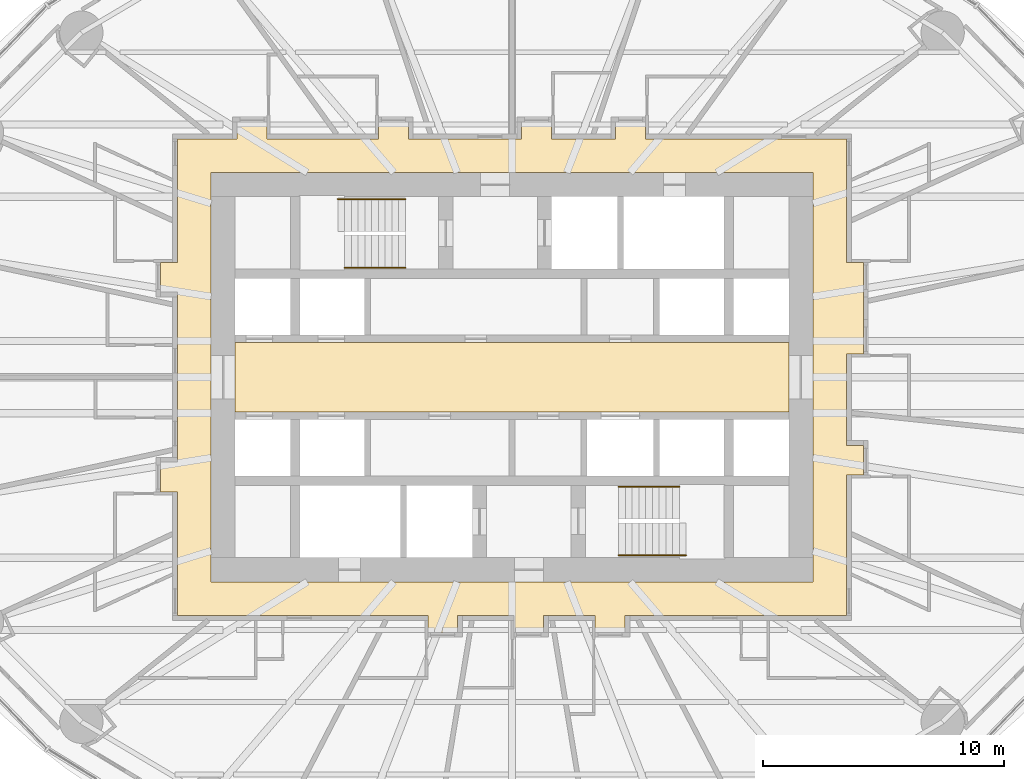
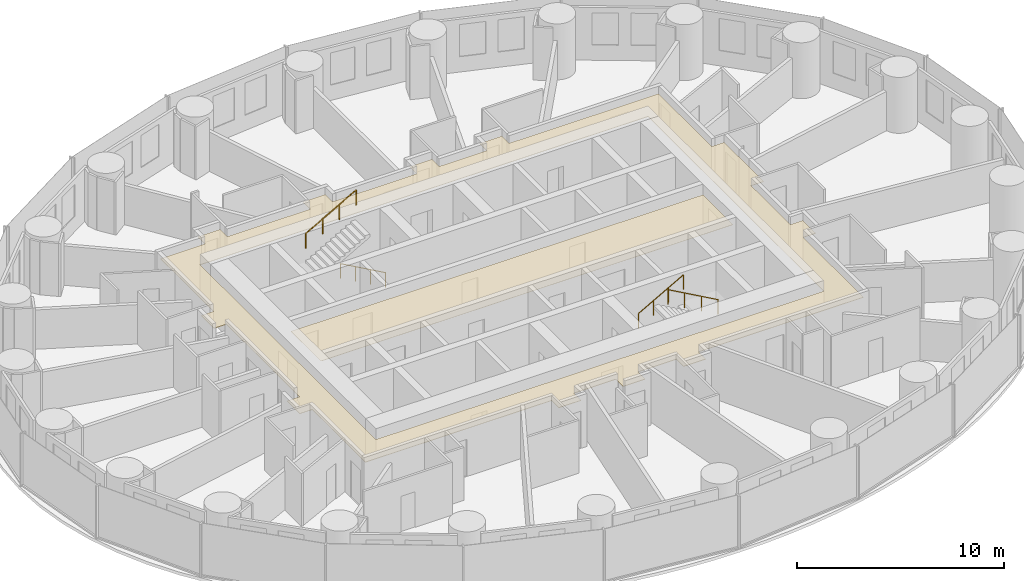
# One storey, part 14 of 14: 4 railings, 2 coverings.
"""IFC4 building model written with IfcOpenShell, lengths in metres."""

from ifc_helpers import new_model, si_unit, direction, frame, origin, origin_2d, place, context, subcontext, project, spatial, polyline, circle, outline, extrude, material, layer, layer_set, type_object, element, save


model = new_model("IFC4")

# Units and contexts
model_context = context("Model", 3, precision=1e-05, world=origin(), true_north=direction((0.0, 1.0)))
body_context = subcontext(model_context, "Body", "Model", "MODEL_VIEW")
ifc_project = project(units=[si_unit("LENGTHUNIT", "METRE"), si_unit("AREAUNIT", "SQUARE_METRE"), si_unit("VOLUMEUNIT", "CUBIC_METRE"), si_unit("PLANEANGLEUNIT", "RADIAN"), si_unit("MASSUNIT", "GRAM", prefix="KILO")], contexts=[model_context])

# Site, building, storey
site_placement = place(None, origin())
site = spatial("IfcSite", under=ifc_project, at=site_placement, CompositionType="ELEMENT")
building_placement = place(site_placement, origin())
building = spatial("IfcBuilding", under=site, at=building_placement, Name="Hankou Lantern Tower", CompositionType="ELEMENT")
storey_placement = place(building_placement, frame((0.0, 0.0, 36.0)))
storey = spatial("IfcBuildingStorey", under=building, at=storey_placement, Name="L07", CompositionType="ELEMENT", Elevation=36.0)

# Coverings
ifc_material_1 = material(Name="Black painted aluminium linear ceiling panels", Category="aluminium")
ifc_layer_1 = layer(ifc_material_1, 0.02490234375)
ifc_layer_set_1 = layer_set([ifc_layer_1], Name="Black painted aluminium linear ceiling panels")
covering_type_1 = type_object("IfcCoveringType", Name="CL1 CORRIDOR CEILING 25", PredefinedType="CEILING", material=ifc_layer_set_1)
covering_1_placement = place(storey_placement, frame((0.0, 0.0, 2.64501953125)))
element("IfcCovering", 1, at=covering_1_placement, inside=storey, type_object=covering_type_1, Name="Corridor ceiling L07", PredefinedType="CEILING", context=body_context, shape_type="SweptSolid", body=[
    extrude(outline(polyline([(-3.49853515625, -10.60009765625), (-2.258544921875, -10.60009765625), (-2.258544921875, -9.89990234375), (0.074951171875, -9.89990234375), (0.074951171875, -10.60009765625), (1.31494140625, -10.60009765625), (1.31494140625, -9.89990234375), (3.455078125, -9.89990234375), (3.455078125, -10.60009765625), (4.695068359375, -10.60009765625), (4.695068359375, -9.89990234375), (13.89990234375, -9.89990234375), (13.89990234375, -4.072509765625), (14.60009765625, -4.072509765625), (14.60009765625, -2.83251953125), (13.89990234375, -2.83251953125), (13.89990234375, 0.9580078125), (14.60009765625, 0.9580078125), (14.60009765625, 4.7724609375), (13.89990234375, 4.7724609375), (13.89990234375, 9.89990234375), (5.549072265625, 9.89990234375), (5.549072265625, 10.60009765625), (4.30908203125, 10.60009765625), (4.30908203125, 9.89990234375), (1.642822265625, 9.89990234375), (1.642822265625, 10.60009765625), (0.40283203125, 10.60009765625), (0.40283203125, 9.89990234375), (-4.30908203125, 9.89990234375), (-4.30908203125, 10.60009765625), (-5.549072265625, 10.60009765625), (-5.549072265625, 9.89990234375), (-10.178955078125, 9.89990234375), (-10.178955078125, 10.60009765625), (-11.4189453125, 10.60009765625), (-11.4189453125, 9.89990234375), (-13.89990234375, 9.89990234375), (-13.89990234375, 4.7724609375), (-14.60009765625, 4.7724609375), (-14.60009765625, 3.532470703125), (-13.89990234375, 3.532470703125), (-13.89990234375, -3.532470703125), (-14.60009765625, -3.532470703125), (-14.60009765625, -4.7724609375), (-13.89990234375, -4.7724609375), (-13.89990234375, -9.89990234375), (-3.49853515625, -9.89990234375), (-3.49853515625, -10.60009765625)]), holes=[polyline([(-12.5, 8.5), (12.5, 8.5), (12.5, -8.5), (-12.5, -8.5), (-12.5, 8.5)])]), origin(), (0.0, 0.0, 1.0), 0.02490234375),
])
ifc_material_2 = material(Name="Perforated black aluminium acoustic tray ceiling", Category="aluminium")
ifc_layer_2 = layer(ifc_material_2, 0.014892578125)
ifc_layer_set_2 = layer_set([ifc_layer_2], Name="Perforated black aluminium acoustic tray ceiling")
covering_type_2 = type_object("IfcCoveringType", Name="CL2 LIFT LOBBY CEILING 15", PredefinedType="CEILING", material=ifc_layer_set_2)
covering_2_placement = place(storey_placement, frame((0.0, 0.0, 2.655029296875)))
element("IfcCovering", 2, at=covering_2_placement, inside=storey, type_object=covering_type_2, Name="Lift lobby ceiling L07", PredefinedType="CEILING", context=body_context, shape_type="SweptSolid", body=[
    extrude(outline(polyline([(-11.5, -1.449951171875), (11.5, -1.449951171875), (11.5, 1.449951171875), (-11.5, 1.449951171875), (-11.5, -1.449951171875)])), origin(), (0.0, 0.0, 1.0), 0.014892578125),
])

# Railings
ifc_material_3 = material(Name="Steel handrail", Category="steel")
railing_type = type_object("IfcRailingType", Name="HR1 STAIR HANDRAIL", PredefinedType="HANDRAIL", material=ifc_material_3)
railing_1_placement = place(storey_placement, frame((-4.429931640625, 4.550048828125, 0.89990234375)))
element("IfcRailing", 3, at=railing_1_placement, inside=storey, type_object=railing_type, Name="Handrail stair STA L07 flight 1", PredefinedType="HANDRAIL", context=body_context, shape_type="SweptSolid", body=[
    extrude(circle(Radius=0.02392578125, at=origin_2d()), frame((0.0, 0.0, 0.8759765625), z_axis=(-0.872048945198, 0.0, 0.489418672692), x_axis=(0.0, -1.0, 0.0)), (0.0, 0.0, 1.0), 2.8896484375),
    extrude(circle(Radius=0.02099609375, at=origin_2d()), origin(), (0.0, 0.0, 1.0), 0.851806640625),
    extrude(circle(Radius=0.02099609375, at=origin_2d()), frame((-0.840087890625, 0.0, 0.471435546875)), (0.0, 0.0, 1.0), 0.851806640625),
    extrude(circle(Radius=0.02099609375, at=origin_2d()), frame((-1.679931640625, 0.0, 0.94287109375)), (0.0, 0.0, 1.0), 0.851806640625),
    extrude(circle(Radius=0.02099609375, at=origin_2d()), frame((-2.52001953125, 0.0, 1.414306640625)), (0.0, 0.0, 1.0), 0.851806640625),
])
railing_2_placement = place(storey_placement, frame((-7.22998046875, 7.39990234375, 2.471435546875)))
element("IfcRailing", 4, at=railing_2_placement, inside=storey, type_object=railing_type, Name="Handrail stair STA L07 flight 2", PredefinedType="HANDRAIL", context=body_context, shape_type="SweptSolid", body=[
    extrude(circle(Radius=0.02392578125, at=origin_2d()), frame((0.0, 0.0, 0.8759765625), z_axis=(0.872040151574, 0.0, 0.489434340891), x_axis=(0.0, 1.0, 0.0)), (0.0, 0.0, 1.0), 3.2109375),
    extrude(circle(Radius=0.02099609375, at=origin_2d()), origin(), (0.0, 0.0, 1.0), 0.851806640625),
    extrude(circle(Radius=0.02099609375, at=origin_2d()), frame((0.933349609375, 0.0, 0.52392578125)), (0.0, 0.0, 1.0), 0.851806640625),
    extrude(circle(Radius=0.02099609375, at=origin_2d()), frame((1.86669921875, 0.0, 1.047607421875)), (0.0, 0.0, 1.0), 0.851806640625),
    extrude(circle(Radius=0.02099609375, at=origin_2d()), frame((2.800048828125, 0.0, 1.571533203125)), (0.0, 0.0, 1.0), 0.851806640625),
])
railing_3_placement = place(storey_placement, frame((4.429931640625, -4.550048828125, 0.89990234375)))
element("IfcRailing", 5, at=railing_3_placement, inside=storey, type_object=railing_type, Name="Handrail stair STB L07 flight 1", PredefinedType="HANDRAIL", context=body_context, shape_type="SweptSolid", body=[
    extrude(circle(Radius=0.02392578125, at=origin_2d()), frame((0.0, 0.0, 0.8759765625), z_axis=(0.872048945198, 0.0, 0.489418672692), x_axis=(0.0, 1.0, 0.0)), (0.0, 0.0, 1.0), 2.8896484375),
    extrude(circle(Radius=0.02099609375, at=origin_2d()), origin(), (0.0, 0.0, 1.0), 0.851806640625),
    extrude(circle(Radius=0.02099609375, at=origin_2d()), frame((0.840087890625, 0.0, 0.471435546875)), (0.0, 0.0, 1.0), 0.851806640625),
    extrude(circle(Radius=0.02099609375, at=origin_2d()), frame((1.679931640625, 0.0, 0.94287109375)), (0.0, 0.0, 1.0), 0.851806640625),
    extrude(circle(Radius=0.02099609375, at=origin_2d()), frame((2.52001953125, 0.0, 1.414306640625)), (0.0, 0.0, 1.0), 0.851806640625),
])
railing_4_placement = place(storey_placement, frame((7.22998046875, -7.39990234375, 2.471435546875)))
element("IfcRailing", 6, at=railing_4_placement, inside=storey, type_object=railing_type, Name="Handrail stair STB L07 flight 2", PredefinedType="HANDRAIL", context=body_context, shape_type="SweptSolid", body=[
    extrude(circle(Radius=0.02392578125, at=origin_2d()), frame((0.0, 0.0, 0.8759765625), z_axis=(-0.872040151574, 0.0, 0.489434340891), x_axis=(0.0, -1.0, 0.0)), (0.0, 0.0, 1.0), 3.2109375),
    extrude(circle(Radius=0.02099609375, at=origin_2d()), origin(), (0.0, 0.0, 1.0), 0.851806640625),
    extrude(circle(Radius=0.02099609375, at=origin_2d()), frame((-0.933349609375, 0.0, 0.52392578125)), (0.0, 0.0, 1.0), 0.851806640625),
    extrude(circle(Radius=0.02099609375, at=origin_2d()), frame((-1.86669921875, 0.0, 1.047607421875)), (0.0, 0.0, 1.0), 0.851806640625),
    extrude(circle(Radius=0.02099609375, at=origin_2d()), frame((-2.800048828125, 0.0, 1.571533203125)), (0.0, 0.0, 1.0), 0.851806640625),
])

save(model, "model.ifc")
